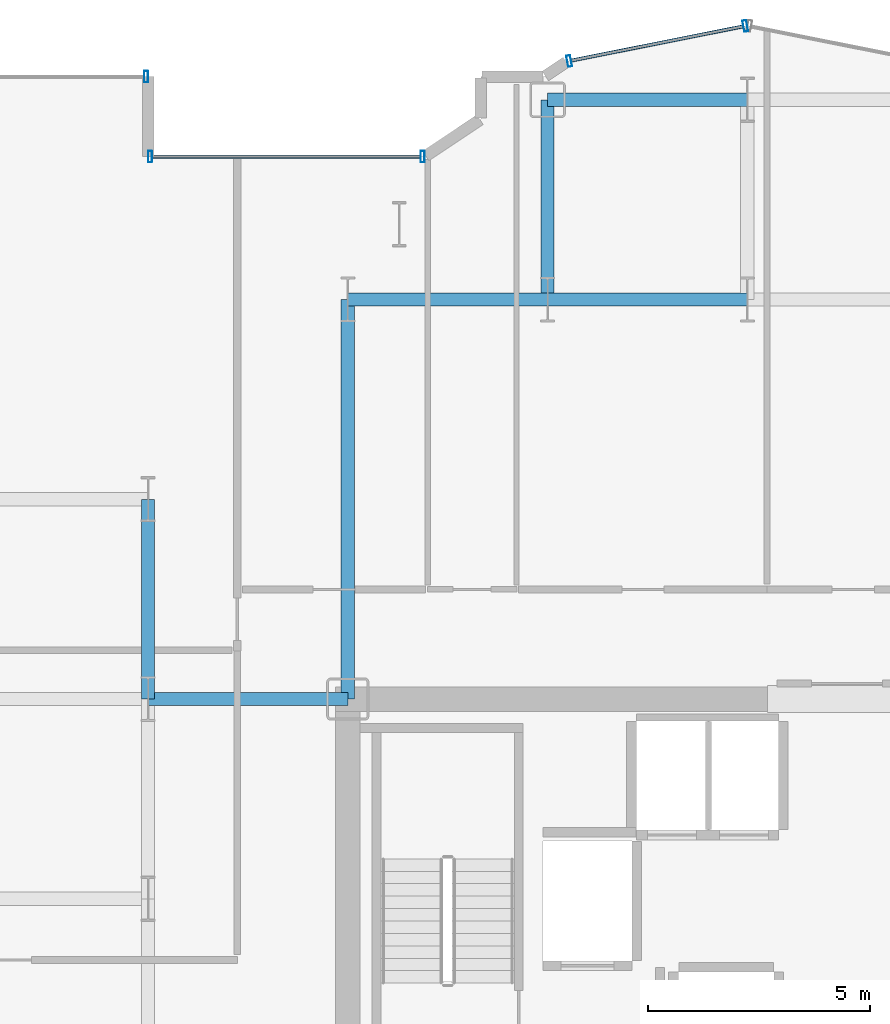
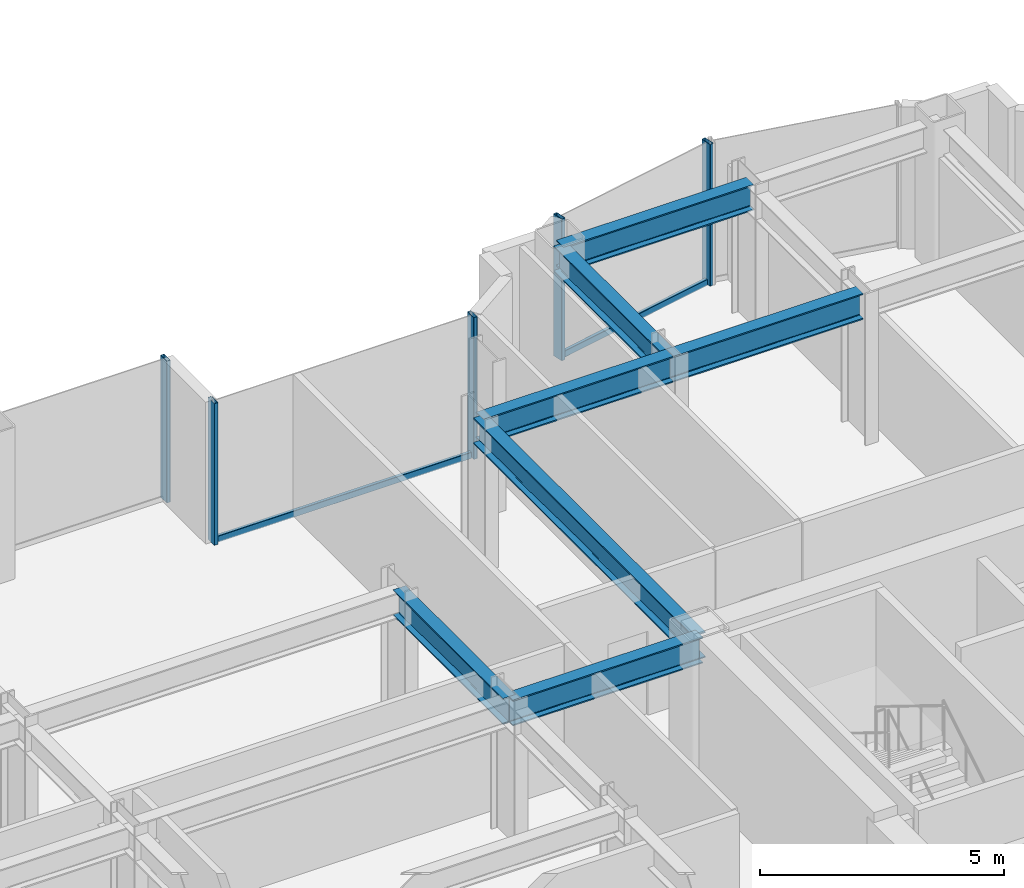
# One storey, part 10 of 25: 7 beams, 7 members, 3 elements without a shape of their own.
"""IFC4 building model written with IfcOpenShell, lengths in metres."""

from ifc_helpers import new_model, si_unit, direction, frame, origin, origin_2d, place, context, subcontext, project, spatial, hollow_rectangle, i_section, extrude, source, transform, mapped, material, layer, layer_set, material_profile, profile_set, type_object, element, aggregate, save


model = new_model("IFC4")

# Units and contexts
model_context = context("Model", 3, precision=1e-05, world=origin(), true_north=direction((0.0, 1.0)))
body_context = subcontext(model_context, "Body", "Model", "MODEL_VIEW")
ifc_project = project(units=[si_unit("LENGTHUNIT", "METRE"), si_unit("AREAUNIT", "SQUARE_METRE"), si_unit("VOLUMEUNIT", "CUBIC_METRE"), si_unit("PLANEANGLEUNIT", "RADIAN"), si_unit("MASSUNIT", "GRAM", prefix="KILO")], contexts=[model_context])

# Site, building, storey
site_placement = place(None, origin())
site = spatial("IfcSite", under=ifc_project, at=site_placement, CompositionType="ELEMENT")
building_placement = place(site_placement, origin())
building = spatial("IfcBuilding", under=site, at=building_placement, Name="Nefas-Gora Pilgrimage Tower", CompositionType="ELEMENT")
storey_placement = place(building_placement, frame((0.0, 0.0, 109.800048828125)))
storey = spatial("IfcBuildingStorey", under=building, at=storey_placement, Name="L26", CompositionType="ELEMENT", Elevation=109.800048828125)

# Beams
ifc_material_1 = material(Name="Steel S355", Category="steel")
ifc_material_profile_1 = material_profile(ifc_material_1, i_section(OverallWidth=0.300048828125, OverallDepth=0.64990234375, WebThickness=0.01611328125, FlangeThickness=0.031005859375, FilletRadius=0.027099609375, at=origin_2d()), Name="HEB 650")
ifc_profile_set_1 = profile_set([ifc_material_profile_1], Name="Steel S355")
beam_type = type_object("IfcBeamType", Name="BM-GIR-HEB650", PredefinedType="BEAM", material=ifc_profile_set_1)
shared_shape_1 = source(origin(), body_context, "Body", "SweptSolid", [
    extrude(i_section(OverallWidth=0.300048828125, OverallDepth=0.64990234375, WebThickness=0.01611328125, FlangeThickness=0.031005859375, FilletRadius=0.027099609375, at=origin_2d()), origin(), (0.0, 0.0, 1.0), 9.0),
])
beam_placement = place(storey_placement, frame((-11.25, 9.0, 3.224853515625), z_axis=(0.0, 1.0, 0.0), x_axis=(-1.0, 0.0, 0.0)))
element("IfcBeam", 1, at=beam_placement, inside=storey, type_object=beam_type, Name="L26 G-03 beam", PredefinedType="BEAM", context=body_context, shape_type="MappedRepresentation", body=[
    mapped(shared_shape_1, transform((0.0, 0.0, 0.0), x_axis=(1.0, 0.0, 0.0), y_axis=(0.0, 1.0, 0.0), z_axis=(0.0, 0.0, 1.0), scale=1.0)),
])
shared_shape_2 = source(origin(), body_context, "Body", "SweptSolid", [
    extrude(i_section(OverallWidth=0.300048828125, OverallDepth=0.64990234375, WebThickness=0.01611328125, FlangeThickness=0.031005859375, FilletRadius=0.027099609375, at=origin_2d()), origin(), (0.0, 0.0, 1.0), 4.5),
])
for number, where, z_axis, x_axis, name in (
    (2, (-15.75, 9.0, 3.224853515625), (0.0, 1.0, 0.0), (-1.0, 0.0, 0.0), "L26 G-03 beam"),
    (3, (-15.75, 9.0, 3.224853515625), (1.0, 0.0, 0.0), (0.0, 1.0, 0.0), "L26 G-03 beam"),
    (4, (-11.25, 18.0, 3.224853515625), (1.0, 0.0, 0.0), (0.0, 1.0, 0.0), "L26 G-03 beam"),
    (5, (-6.75, 18.0, 3.224853515625), (0.0, 1.0, 0.0), (-1.0, 0.0, 0.0), "L26 G-03 beam"),
    (6, (-6.75, 18.0, 3.224853515625), (1.0, 0.0, 0.0), (0.0, 1.0, 0.0), "L26 G-03 beam"),
    (7, (-6.75, 22.5, 3.224853515625), (1.0, 0.0, 0.0), (0.0, 1.0, 0.0), "L26 G-03 beam"),
):
    element("IfcBeam", number, at=place(storey_placement, frame(where, z_axis=z_axis, x_axis=x_axis)), inside=storey, type_object=beam_type, Name=name, PredefinedType="BEAM", context=body_context, shape_type="MappedRepresentation", body=[
        mapped(shared_shape_2, transform((0.0, 0.0, 0.0), x_axis=(1.0, 0.0, 0.0), y_axis=(0.0, 1.0, 0.0), z_axis=(0.0, 0.0, 1.0), scale=1.0)),
    ])

# Curtain wall, members
ifc_material_2 = material(Name="Dark ceramic-fritted solar-control aluminium-glass curtain wall", Category="aluminium")
ifc_layer_1 = layer(ifc_material_2, 0.219970703125)
ifc_layer_set_1 = layer_set([ifc_layer_1], Name="Dark ceramic-fritted solar-control aluminium-glass curtain wall")
curtain_wall_type_1 = type_object("IfcCurtainWallType", Name="CW-SYS-5", PredefinedType="NOTDEFINED", material=ifc_layer_set_1)
curtain_wall_1_placement = place(storey_placement, origin())
curtain_wall_1 = element("IfcCurtainWall", 8, at=curtain_wall_1_placement, inside=storey, type_object=curtain_wall_type_1, Name="L26 Unitised Curtain Wall CW5", PredefinedType="NOTDEFINED")
ifc_material_3 = material(Name="Anodised architectural aluminium", Category="aluminium")
ifc_material_profile_2 = material_profile(ifc_material_3, hollow_rectangle(XDim=0.090087890625, YDim=0.260009765625, WallThickness=0.006103515625, InnerFilletRadius=0.006103515625, OuterFilletRadius=0.011962890625, at=origin_2d()), Name="ALU MULLION 90x260")
ifc_profile_set_2 = profile_set([ifc_material_profile_2], Name="Anodised architectural aluminium")
member_type_1 = type_object("IfcMemberType", Name="CWM-MUL-5", PredefinedType="MULLION", material=ifc_profile_set_2)
shared_shape_3 = source(origin(), body_context, "Body", "SweptSolid", [
    extrude(hollow_rectangle(XDim=0.090087890625, YDim=0.260009765625, WallThickness=0.006103515625, InnerFilletRadius=0.006103515625, OuterFilletRadius=0.011962890625, at=origin_2d()), origin(), (0.0, 0.0, 1.0), 3.550048828125),
])
member_1_placement = place(storey_placement, frame((-2.294189453125, 24.16357421875, 0.0), z_axis=(0.0, 0.0, 1.0), x_axis=(-0.980782896852, -0.195102304554, 0.0)))
member_1 = element("IfcMember", 9, at=member_1_placement, type_object=member_type_1, Name="CW5 Mullion 1", PredefinedType="MULLION", context=body_context, shape_type="MappedRepresentation", body=[
    mapped(shared_shape_3, transform((0.0, 0.0, 0.0), x_axis=(1.0, 0.0, 0.0), y_axis=(0.0, 1.0, 0.0), z_axis=(0.0, 0.0, 1.0), scale=1.0)),
])
member_2_placement = place(storey_placement, frame((-6.26318359375, 23.3740234375, 0.0), z_axis=(0.0, 0.0, 1.0), x_axis=(-0.980782896852, -0.195102304554, 0.0)))
member_2 = element("IfcMember", 10, at=member_2_placement, type_object=member_type_1, Name="CW5 Mullion 2", PredefinedType="MULLION", context=body_context, shape_type="MappedRepresentation", body=[
    mapped(shared_shape_3, transform((0.0, 0.0, 0.0), x_axis=(1.0, 0.0, 0.0), y_axis=(0.0, 1.0, 0.0), z_axis=(0.0, 0.0, 1.0), scale=1.0)),
])

curtain_wall_2_placement = place(storey_placement, origin())
curtain_wall_2 = element("IfcCurtainWall", 11, at=curtain_wall_2_placement, inside=storey, type_object=curtain_wall_type_1, Name="L26 Unitised Curtain Wall CW5", PredefinedType="NOTDEFINED")
member_3_placement = place(storey_placement, frame((-9.56298828125, 21.219970703125, 0.0), z_axis=(0.0, 0.0, 1.0), x_axis=(-1.0, 0.0, 0.0)))
member_3 = element("IfcMember", 12, at=member_3_placement, type_object=member_type_1, Name="CW5 Mullion 1", PredefinedType="MULLION", context=body_context, shape_type="MappedRepresentation", body=[
    mapped(shared_shape_3, transform((0.0, 0.0, 0.0), x_axis=(1.0, 0.0, 0.0), y_axis=(0.0, 1.0, 0.0), z_axis=(0.0, 0.0, 1.0), scale=1.0)),
])
member_4_placement = place(storey_placement, frame((-15.705078125, 21.219970703125, 0.0), z_axis=(0.0, 0.0, 1.0), x_axis=(-1.0, 0.0, 0.0)))
member_4 = element("IfcMember", 13, at=member_4_placement, type_object=member_type_1, Name="CW5 Mullion 2", PredefinedType="MULLION", context=body_context, shape_type="MappedRepresentation", body=[
    mapped(shared_shape_3, transform((0.0, 0.0, 0.0), x_axis=(1.0, 0.0, 0.0), y_axis=(0.0, 1.0, 0.0), z_axis=(0.0, 0.0, 1.0), scale=1.0)),
])
ifc_material_profile_3 = material_profile(ifc_material_3, hollow_rectangle(XDim=0.080078125, YDim=0.159912109375, WallThickness=0.00439453125, InnerFilletRadius=0.00439453125, OuterFilletRadius=0.009033203125, at=origin_2d()), Name="ALU TRANSOM 80x160")
ifc_profile_set_3 = profile_set([ifc_material_profile_3], Name="Anodised architectural aluminium")
member_type_2 = type_object("IfcMemberType", Name="CWM-TRN-5", PredefinedType="USERDEFINED", material=ifc_profile_set_3)
shared_shape_4 = source(origin(), body_context, "Body", "SweptSolid", [
    extrude(hollow_rectangle(XDim=0.080078125, YDim=0.159912109375, WallThickness=0.00439453125, InnerFilletRadius=0.00439453125, OuterFilletRadius=0.009033203125, at=origin_2d()), origin(), (0.0, 0.0, 1.0), 6.052001953125),
])
member_5_placement = place(storey_placement, frame((-9.60791015625, 21.219970703125, 0.050048828125), z_axis=(-1.0, 0.0, 0.0), x_axis=(0.0, -1.0, 0.0)))
member_5 = element("IfcMember", 14, at=member_5_placement, type_object=member_type_2, Name="CW5 Spandrel Transom", ObjectType="TRANSOM", PredefinedType="USERDEFINED", context=body_context, shape_type="MappedRepresentation", body=[
    mapped(shared_shape_4, transform((0.0, 0.0, 0.0), x_axis=(1.0, 0.0, 0.0), y_axis=(0.0, 1.0, 0.0), z_axis=(0.0, 0.0, 1.0), scale=1.0)),
])
aggregate(curtain_wall_2, [member_3, member_4, member_5])

# Curtain wall, member
ifc_layer_2 = layer(ifc_material_2, 0.219970703125)
ifc_layer_set_2 = layer_set([ifc_layer_2], Name="Dark ceramic-fritted solar-control aluminium-glass curtain wall")
curtain_wall_type_2 = type_object("IfcCurtainWallType", Name="CW-SYS-2", PredefinedType="NOTDEFINED", material=ifc_layer_set_2)
curtain_wall_3_placement = place(storey_placement, origin())
curtain_wall_3 = element("IfcCurtainWall", 15, at=curtain_wall_3_placement, inside=storey, type_object=curtain_wall_type_2, Name="L26 Unitised Curtain Wall CW2", PredefinedType="NOTDEFINED")
ifc_material_profile_4 = material_profile(ifc_material_3, hollow_rectangle(XDim=0.090087890625, YDim=0.260009765625, WallThickness=0.006103515625, InnerFilletRadius=0.006103515625, OuterFilletRadius=0.011962890625, at=origin_2d()), Name="ALU MULLION 90x260")
ifc_profile_set_4 = profile_set([ifc_material_profile_4], Name="Anodised architectural aluminium")
member_type_3 = type_object("IfcMemberType", Name="CWM-MUL-2", PredefinedType="MULLION", material=ifc_profile_set_4)
shared_shape_5 = source(origin(), body_context, "Body", "SweptSolid", [
    extrude(hollow_rectangle(XDim=0.090087890625, YDim=0.260009765625, WallThickness=0.006103515625, InnerFilletRadius=0.006103515625, OuterFilletRadius=0.011962890625, at=origin_2d()), origin(), (0.0, 0.0, 1.0), 3.550048828125),
])
member_6_placement = place(storey_placement, frame((-15.794921875, 23.02001953125, 0.0), z_axis=(0.0, 0.0, 1.0), x_axis=(-1.0, 0.0, 0.0)))
member_6 = element("IfcMember", 16, at=member_6_placement, type_object=member_type_3, Name="CW2 Mullion 1", PredefinedType="MULLION", context=body_context, shape_type="MappedRepresentation", body=[
    mapped(shared_shape_5, transform((0.0, 0.0, 0.0), x_axis=(1.0, 0.0, 0.0), y_axis=(0.0, 1.0, 0.0), z_axis=(0.0, 0.0, 1.0), scale=1.0)),
])
aggregate(curtain_wall_3, [member_6])

# Member
shared_shape_6 = source(origin(), body_context, "Body", "SweptSolid", [
    extrude(hollow_rectangle(XDim=0.080078125, YDim=0.159912109375, WallThickness=0.00439453125, InnerFilletRadius=0.00439453125, OuterFilletRadius=0.009033203125, at=origin_2d()), origin(), (0.0, 0.0, 1.0), 3.95654296875),
])
member_7_placement = place(storey_placement, frame((-2.33837890625, 24.15478515625, 0.050048828125), z_axis=(-0.980781880918, -0.195107411605, 0.0), x_axis=(0.195107411605, -0.980781880918, 0.0)))
member_7 = element("IfcMember", 17, at=member_7_placement, type_object=member_type_2, Name="CW5 Spandrel Transom", ObjectType="TRANSOM", PredefinedType="USERDEFINED", context=body_context, shape_type="MappedRepresentation", body=[
    mapped(shared_shape_6, transform((0.0, 0.0, 0.0), x_axis=(1.0, 0.0, 0.0), y_axis=(0.0, 1.0, 0.0), z_axis=(0.0, 0.0, 1.0), scale=1.0)),
])

aggregate(curtain_wall_1, [member_1, member_2, member_7])

save(model, "model.ifc")
